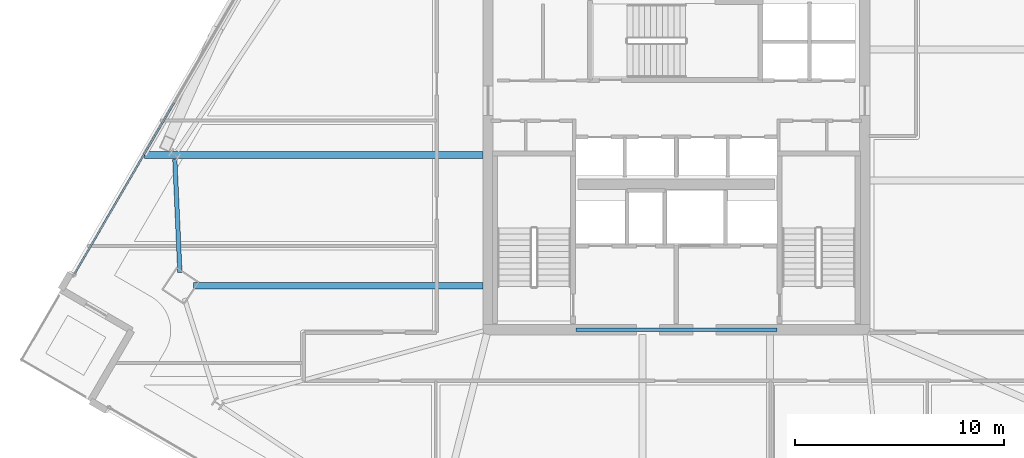
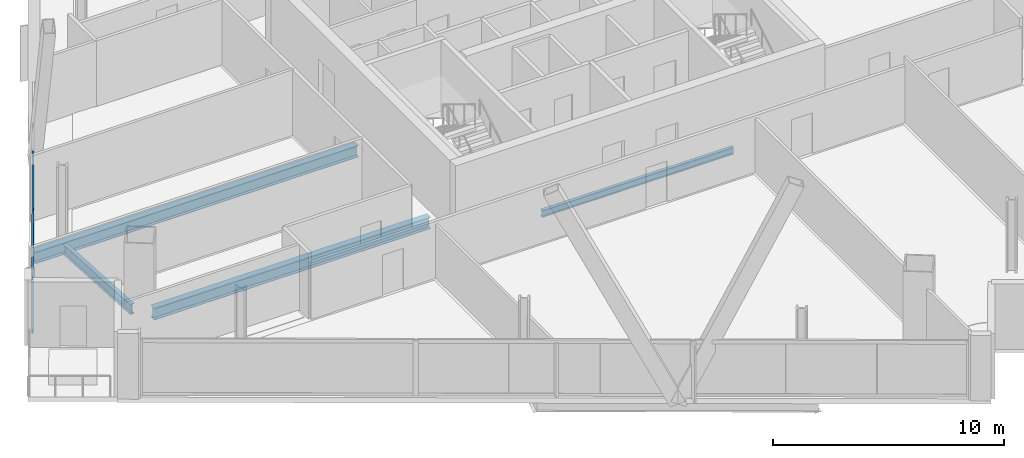
# One storey, part 6 of 29: 4 beams, 2 members, 1 element without a shape of its own.
"""IFC4 building model written with IfcOpenShell, lengths in metres."""

from ifc_helpers import new_model, si_unit, direction, frame, origin, origin_2d, place, context, subcontext, project, spatial, hollow_rectangle, i_section, extrude, material, material_profile, profile_set, type_object, element, aggregate, save


model = new_model("IFC4")

# Units and contexts
model_context = context("Model", 3, precision=1e-05, world=origin(), true_north=direction((0.0, 1.0)))
body_context = subcontext(model_context, "Body", "Model", "MODEL_VIEW")
ifc_project = project(units=[si_unit("LENGTHUNIT", "METRE"), si_unit("AREAUNIT", "SQUARE_METRE"), si_unit("VOLUMEUNIT", "CUBIC_METRE"), si_unit("PLANEANGLEUNIT", "RADIAN"), si_unit("MASSUNIT", "GRAM", prefix="KILO")], contexts=[model_context])

# Site, building, storey
site_placement = place(None, origin())
site = spatial("IfcSite", under=ifc_project, at=site_placement, CompositionType="ELEMENT")
building_placement = place(site_placement, origin())
building = spatial("IfcBuilding", under=site, at=building_placement, Name="Haldenkirk Collegiate Tower", CompositionType="ELEMENT")
storey_placement = place(building_placement, frame((0.0, 0.0, 228.449951171875)))
storey = spatial("IfcBuildingStorey", under=building, at=storey_placement, Name="L57", CompositionType="ELEMENT", Elevation=228.449951171875)

# Beams
ifc_material_1 = material(Name="Steel ASTM A992 Grade 50", Category="steel")
ifc_material_profile_1 = material_profile(ifc_material_1, i_section(OverallWidth=0.324951171875, OverallDepth=0.615966796875, WebThickness=0.013916015625, FlangeThickness=0.021484375, at=origin_2d()), Name="W24X117")
ifc_profile_set_1 = profile_set([ifc_material_profile_1], Name="Steel ASTM A992 Grade 50")
beam_type_1 = type_object("IfcBeamType", Name="BM-GIRDER-W24X117", PredefinedType="BEAM", material=ifc_profile_set_1)
beam_1_placement = place(storey_placement, frame((12.9345703125, 20.089599609375, -0.587890625), z_axis=(1.0, 0.0, 0.0), x_axis=(0.0, 1.0, 0.0)))
element("IfcBeam", 1, at=beam_1_placement, inside=storey, type_object=beam_type_1, Name="L57 primary floor girder 04", PredefinedType="BEAM", context=body_context, shape_type="SweptSolid", body=[
    extrude(i_section(OverallWidth=0.324951171875, OverallDepth=0.615966796875, WebThickness=0.013916015625, FlangeThickness=0.021484375, at=origin_2d()), origin(), (0.0, 0.0, 1.0), 13.83544921875),
])
beam_2_placement = place(storey_placement, frame((10.5966796875, 26.34716796875, -0.587890625), z_axis=(1.0, 0.0, 0.0), x_axis=(0.0, 1.0, 0.0)))
element("IfcBeam", 2, at=beam_2_placement, inside=storey, type_object=beam_type_1, Name="L57 primary floor girder 13", PredefinedType="BEAM", context=body_context, shape_type="SweptSolid", body=[
    extrude(i_section(OverallWidth=0.324951171875, OverallDepth=0.615966796875, WebThickness=0.013916015625, FlangeThickness=0.021484375, at=origin_2d()), origin(), (0.0, 0.0, 1.0), 16.17333984375),
])
ifc_material_profile_2 = material_profile(ifc_material_1, i_section(OverallWidth=0.1708984375, OverallDepth=0.35595703125, WebThickness=0.007080078125, FlangeThickness=0.01171875, at=origin_2d()), Name="W14X34")
ifc_profile_set_2 = profile_set([ifc_material_profile_2], Name="Steel ASTM A992 Grade 50")
beam_type_2 = type_object("IfcBeamType", Name="BM-LINTEL-W14X34", PredefinedType="LINTEL", material=ifc_profile_set_2)
beam_3_placement = place(storey_placement, frame((31.199951171875, 18.0, -0.4580078125), z_axis=(1.0, 0.0, 0.0), x_axis=(0.0, 1.0, 0.0)))
element("IfcBeam", 3, at=beam_3_placement, inside=storey, type_object=beam_type_2, Name="L57 south core coupling lintel", PredefinedType="LINTEL", context=body_context, shape_type="SweptSolid", body=[
    extrude(i_section(OverallWidth=0.1708984375, OverallDepth=0.35595703125, WebThickness=0.007080078125, FlangeThickness=0.01171875, at=origin_2d()), origin(), (0.0, 0.0, 1.0), 9.60009765625),
])
ifc_material_profile_3 = material_profile(ifc_material_1, i_section(OverallWidth=0.2099609375, OverallDepth=0.537109375, WebThickness=0.010986328125, FlangeThickness=0.017333984375, at=origin_2d()), Name="W21X68")
ifc_profile_set_3 = profile_set([ifc_material_profile_3], Name="Steel ASTM A992 Grade 50")
beam_type_3 = type_object("IfcBeamType", Name="BM-SPANDREL-W21X68", PredefinedType="SPANDREL", material=ifc_profile_set_3)
beam_4_placement = place(storey_placement, frame((12.034912109375, 26.13037109375, -0.54833984375), z_axis=(0.044620526426, -0.999004008311, 0.0), x_axis=(0.999004008311, 0.044620526426, 0.0)))
element("IfcBeam", 4, at=beam_4_placement, inside=storey, type_object=beam_type_3, Name="L57 perimeter spandrel beam 12", PredefinedType="SPANDREL", context=body_context, shape_type="SweptSolid", body=[
    extrude(i_section(OverallWidth=0.2099609375, OverallDepth=0.537109375, WebThickness=0.010986328125, FlangeThickness=0.017333984375, at=origin_2d()), origin(), (0.0, 0.0, 1.0), 5.416748046875),
])

# Curtain wall, members
ifc_material_2 = material(Name="Anodised architectural bronze aluminium", Category="aluminium")
curtain_wall_type = type_object("IfcCurtainWallType", Name="CW-SYS1B-CONVEX-HI", PredefinedType="USERDEFINED", material=ifc_material_2)
curtain_wall_placement = place(storey_placement, origin())
curtain_wall = element("IfcCurtainWall", 5, at=curtain_wall_placement, inside=storey, type_object=curtain_wall_type, Name="L57 Upper tower high-wind convex bronze unitised curtain wall", ObjectType="UNITISED CURTAIN WALL", PredefinedType="USERDEFINED")
ifc_material_profile_4 = material_profile(ifc_material_2, hollow_rectangle(XDim=0.0849609375, YDim=0.199951171875, WallThickness=0.0048828125, at=origin_2d()), Name="CW-TRN-1B")
ifc_profile_set_4 = profile_set([ifc_material_profile_4], Name="Anodised architectural bronze aluminium")
member_type = type_object("IfcMemberType", Name="CW-TRN-1B", PredefinedType="USERDEFINED", material=ifc_profile_set_4)
member_1_placement = place(storey_placement, frame((7.2490234375, 20.674560546875, 0.04248046875), z_axis=(0.503011167047, 0.864279911733, 0.0), x_axis=(-0.864279911733, 0.503011167047, 0.0)))
member_1 = element("IfcMember", 6, at=member_1_placement, type_object=member_type, Name="CW-1B transom 1.1", ObjectType="TRANSOM", PredefinedType="USERDEFINED", context=body_context, shape_type="SweptSolid", body=[
    extrude(hollow_rectangle(XDim=0.0849609375, YDim=0.199951171875, WallThickness=0.0048828125, at=origin_2d()), origin(), (0.0, 0.0, 1.0), 9.447509765625),
])
member_2_placement = place(storey_placement, frame((7.2490234375, 20.674560546875, 2.885498046875), z_axis=(0.503011167047, 0.864279911733, 0.0), x_axis=(-0.864279911733, 0.503011167047, 0.0)))
member_2 = element("IfcMember", 7, at=member_2_placement, type_object=member_type, Name="CW-1B transom 1.2", ObjectType="TRANSOM", PredefinedType="USERDEFINED", context=body_context, shape_type="SweptSolid", body=[
    extrude(hollow_rectangle(XDim=0.0849609375, YDim=0.199951171875, WallThickness=0.0048828125, at=origin_2d()), origin(), (0.0, 0.0, 1.0), 9.447509765625),
])
aggregate(curtain_wall, [member_1, member_2])

save(model, "model.ifc")
